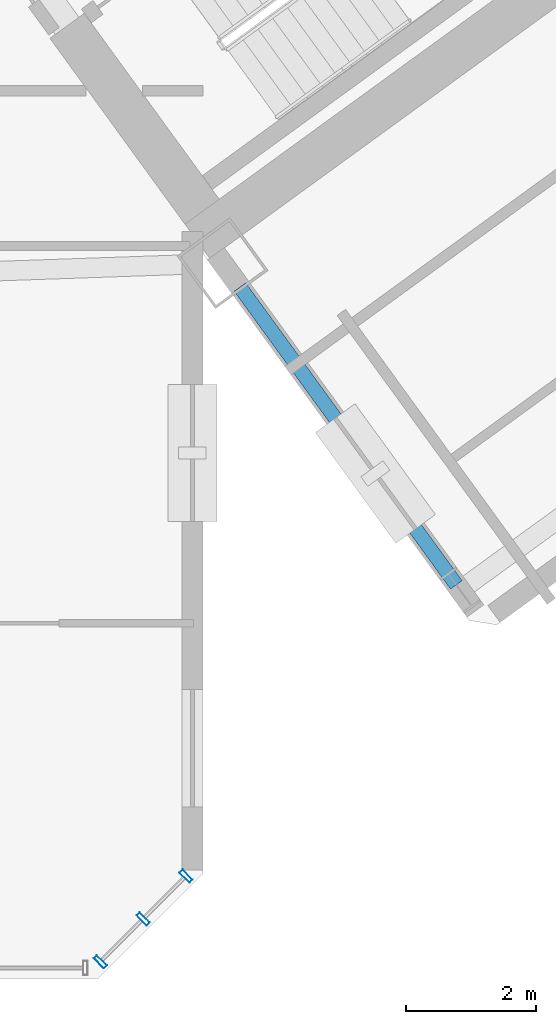
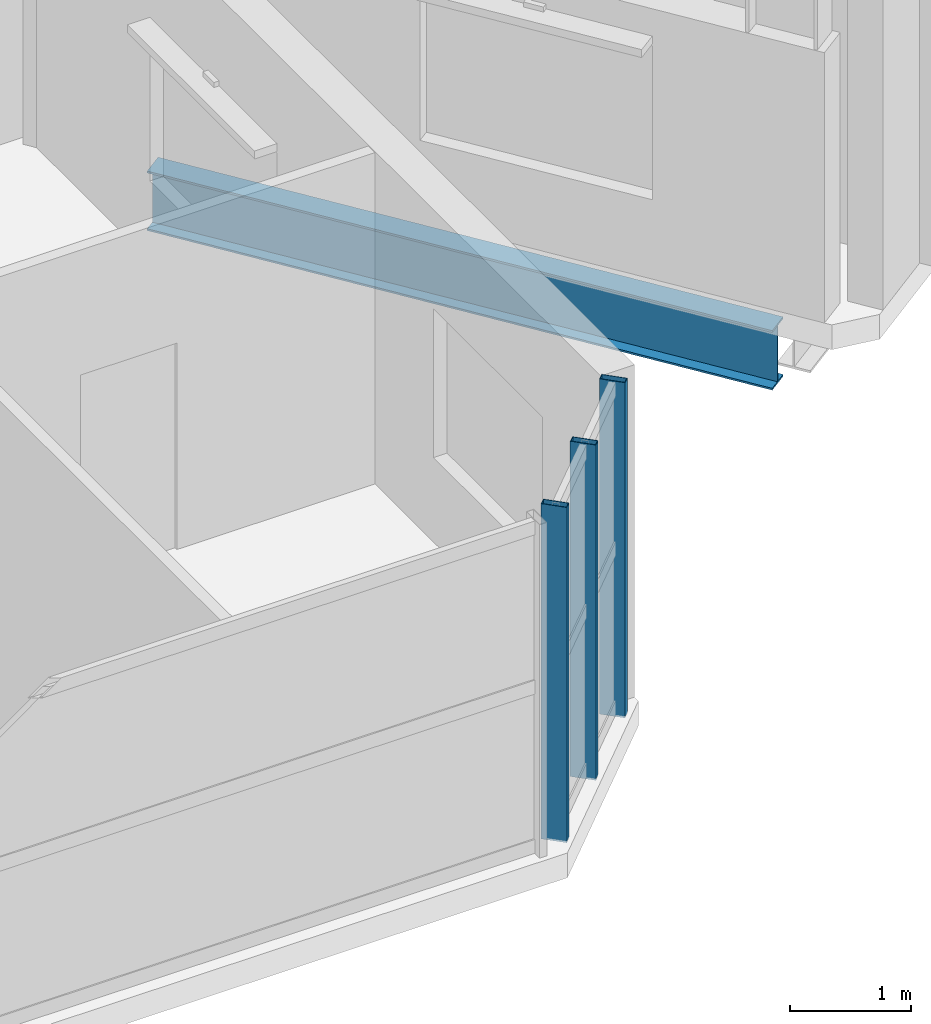
# One storey, part 9 of 25: 3 members, 1 beam, 1 element without a shape of its own.
"""IFC4 building model written with IfcOpenShell, lengths in metres."""

from ifc_helpers import new_model, si_unit, direction, frame, origin, origin_2d, place, context, subcontext, project, spatial, hollow_rectangle, i_section, extrude, source, transform, mapped, material, material_profile, profile_set, type_object, element, aggregate, save


model = new_model("IFC4")

# Units and contexts
model_context = context("Model", 3, precision=1e-05, world=origin(), true_north=direction((0.0, 1.0)))
body_context = subcontext(model_context, "Body", "Model", "MODEL_VIEW")
ifc_project = project(units=[si_unit("LENGTHUNIT", "METRE"), si_unit("AREAUNIT", "SQUARE_METRE"), si_unit("VOLUMEUNIT", "CUBIC_METRE"), si_unit("PLANEANGLEUNIT", "RADIAN"), si_unit("MASSUNIT", "GRAM", prefix="KILO")], contexts=[model_context])

# Site, building, storey
site_placement = place(None, origin())
site = spatial("IfcSite", under=ifc_project, at=site_placement, CompositionType="ELEMENT")
building_placement = place(site_placement, origin())
building = spatial("IfcBuilding", under=site, at=building_placement, Name="Tlacorven Tower", CompositionType="ELEMENT")
storey_placement = place(building_placement, frame((0.0, 0.0, 52.800048828125)))
storey = spatial("IfcBuildingStorey", under=building, at=storey_placement, Name="L13", CompositionType="ELEMENT", Elevation=52.800048828125)

# Beam
ifc_material_1 = material(Name="Steel S355J2", Category="steel")
ifc_material_profile_1 = material_profile(ifc_material_1, i_section(OverallWidth=0.219970703125, OverallDepth=0.60009765625, WebThickness=0.011962890625, FlangeThickness=0.01904296875, at=origin_2d()), Name="IPE 600")
ifc_profile_set_1 = profile_set([ifc_material_profile_1], Name="Steel S355J2")
beam_type = type_object("IfcBeamType", Name="BM-TWR-600", PredefinedType="BEAM", material=ifc_profile_set_1)
shared_shape_1 = source(origin(), body_context, "Body", "SweptSolid", [
    extrude(i_section(OverallWidth=0.219970703125, OverallDepth=0.60009765625, WebThickness=0.011962890625, FlangeThickness=0.01904296875, at=origin_2d()), origin(), (0.0, 0.0, 1.0), 5.650146484375),
])
beam_placement = place(storey_placement, frame((56.291015625, 7.83837890625, -0.550048828125), z_axis=(-0.587783675561, 0.809018139935, 0.0), x_axis=(-0.809018139935, -0.587783675561, 0.0)))
element("IfcBeam", 1, at=beam_placement, inside=storey, type_object=beam_type, Name="L13 beam BM-L13-ET1-1", PredefinedType="BEAM", context=body_context, shape_type="MappedRepresentation", body=[
    mapped(shared_shape_1, transform((0.0, 0.0, 0.0), scale=1.0)),
])

# Curtain wall, members
ifc_material_2 = material(Name="Dark solar low-E double glazing in aluminium frame", Category="aluminium")
curtain_wall_type = type_object("IfcCurtainWallType", Name="CW-TWR-LOW", PredefinedType="USERDEFINED", material=ifc_material_2)
curtain_wall_placement = place(storey_placement, origin())
curtain_wall = element("IfcCurtainWall", 2, at=curtain_wall_placement, inside=storey, type_object=curtain_wall_type, Name="L13 CW-TWR-LOW Curtain Wall 69", ObjectType="UNITISED CURTAIN WALL", PredefinedType="USERDEFINED")
ifc_material_3 = material(Name="Aluminium 6063-T6 anodised", Category="aluminium")
ifc_material_profile_2 = material_profile(ifc_material_3, hollow_rectangle(XDim=0.070068359375, YDim=0.219970703125, WallThickness=0.0048828125, at=origin_2d()), Name="ALU MULLION 70X220")
ifc_profile_set_2 = profile_set([ifc_material_profile_2], Name="Aluminium 6063-T6 anodised")
member_type = type_object("IfcMemberType", Name="CWM-01", PredefinedType="MULLION", material=ifc_profile_set_2)
shared_shape_2 = source(origin(), body_context, "Body", "SweptSolid", [
    extrude(hollow_rectangle(XDim=0.070068359375, YDim=0.219970703125, WallThickness=0.0048828125, at=origin_2d()), origin(), (0.0, 0.0, 1.0), 3.3798828125),
])
member_1_placement = place(storey_placement, frame((52.14453125, 3.370849609375, -0.02001953125), z_axis=(0.0, 0.0, 1.0), x_axis=(-0.707106781187, -0.707106781187, 0.0)))
member_1 = element("IfcMember", 3, at=member_1_placement, type_object=member_type, Name="CW-L13-069 Mullion 1", PredefinedType="MULLION", context=body_context, shape_type="MappedRepresentation", body=[
    mapped(shared_shape_2, transform((0.0, 0.0, 0.0), scale=1.0)),
])
member_2_placement = place(storey_placement, frame((51.48681640625, 2.713134765625, -0.02001953125), z_axis=(0.0, 0.0, 1.0), x_axis=(-0.707106781187, -0.707106781187, 0.0)))
member_2 = element("IfcMember", 4, at=member_2_placement, type_object=member_type, Name="CW-L13-069 Mullion 2", PredefinedType="MULLION", context=body_context, shape_type="MappedRepresentation", body=[
    mapped(shared_shape_2, transform((0.0, 0.0, 0.0), scale=1.0)),
])
member_3_placement = place(storey_placement, frame((50.8291015625, 2.055419921875, -0.02001953125), z_axis=(0.0, 0.0, 1.0), x_axis=(-0.707106781187, -0.707106781187, 0.0)))
member_3 = element("IfcMember", 5, at=member_3_placement, type_object=member_type, Name="CW-L13-069 Mullion 3", PredefinedType="MULLION", context=body_context, shape_type="MappedRepresentation", body=[
    mapped(shared_shape_2, transform((0.0, 0.0, 0.0), scale=1.0)),
])
aggregate(curtain_wall, [member_1, member_2, member_3])

save(model, "model.ifc")
